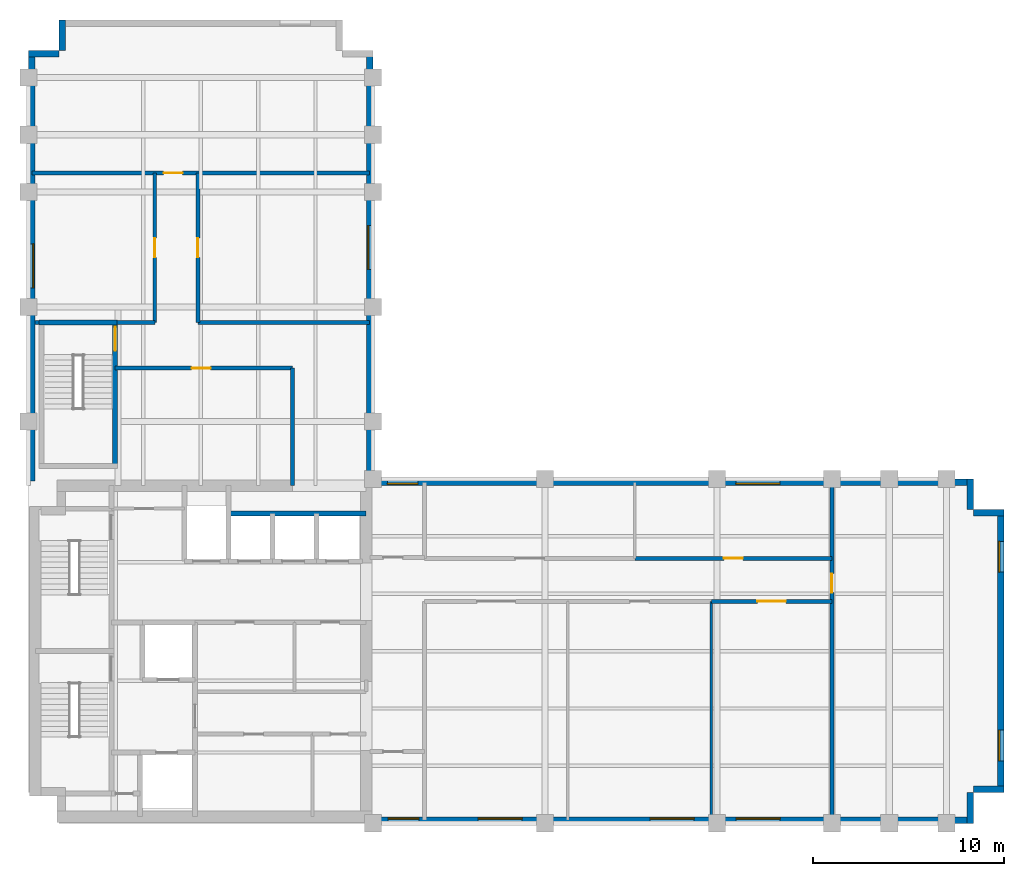
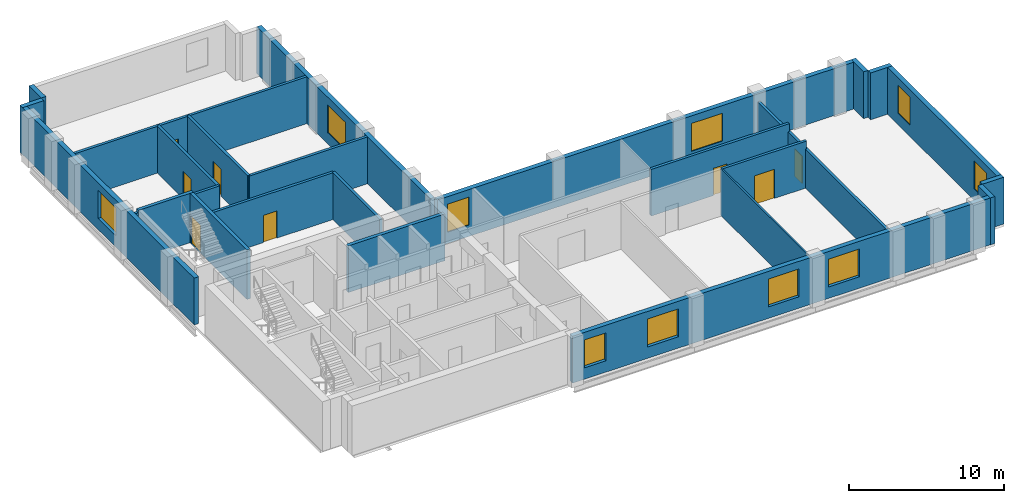
# One storey, part 4 of 6: 26 walls, 10 windows, 8 doors, 18 openings.
"""IFC4 building model written with IfcOpenShell, lengths in metres."""

import ifcopenshell
import ifcopenshell.guid

model = None  # the IFC model being written
_history = None  # IfcOwnerHistory: only IFC2X3 demands one
_inside = {}  # id of a spatial element -> (the spatial element, [elements in it])
_under = {}  # id of a project, library or spatial element -> (it, [spatial elements below it])
_declared = {}  # id of a project -> (the project, [libraries it declares])
_typed = {}  # id of a type object -> (the type object, [elements of that type])
_made_of = {}  # id of a material, layer set ... -> (it, [elements and type objects made of it])


def new_model(schema):
    """Start an empty IFC model of exactly this schema.

    Asked for "IFC4X3", IfcOpenShell would pick the latest addendum, in which some entities
    have other attributes; the version numbers below select the first issue.
    IFC2X3 requires an IfcOwnerHistory on every rooted entity: one is made here for all.
    """
    global model, _history
    if schema == "IFC4X3":
        model = ifcopenshell.file(schema_version=(4, 3, 0, 0))
    else:
        model = ifcopenshell.file(schema=schema)
    _inside.clear()
    _under.clear()
    _declared.clear()
    _typed.clear()
    _made_of.clear()
    _history = None
    if model.schema == "IFC2X3":
        org = make("IfcOrganization", Name="unknown")
        user = make(
            "IfcPersonAndOrganization",
            ThePerson=make("IfcPerson", FamilyName="unknown"),
            TheOrganization=org,
        )
        app = make(
            "IfcApplication",
            ApplicationDeveloper=org,
            Version="unknown",
            ApplicationFullName="unknown",
            ApplicationIdentifier="unknown",
        )
        _history = make(
            "IfcOwnerHistory",
            OwningUser=user,
            OwningApplication=app,
            ChangeAction="ADDED",
            CreationDate=0,
        )
    return model


def make(cls, **values):
    """One entity of the class cls with the attributes given. An attribute that is None is left unset."""
    return model.create_entity(
        cls, **{name: value for name, value in values.items() if value is not None}
    )


def rooted(cls, **values):
    """An entity with a GlobalId (a new one), such as an element, a storey or a relation."""
    return make(cls, GlobalId=ifcopenshell.guid.new(), OwnerHistory=_history, **values)


def si_unit(unit_type, name, prefix=None):
    """IfcSIUnit, for example si_unit("LENGTHUNIT", "METRE", prefix="MILLI")."""
    return make("IfcSIUnit", UnitType=unit_type, Prefix=prefix, Name=name)


def assignment(units):
    """IfcUnitAssignment: the units of a project."""
    return None if units is None else make("IfcUnitAssignment", Units=units)


def point(xyz):
    """IfcCartesianPoint."""
    return None if xyz is None else make("IfcCartesianPoint", Coordinates=xyz)


def direction(xyz):
    """IfcDirection."""
    return None if xyz is None else make("IfcDirection", DirectionRatios=xyz)


def frame(location, z_axis=None, x_axis=None):
    """IfcAxis2Placement3D, a coordinate frame: its origin and axes. An axis left out is left unset."""
    return make(
        "IfcAxis2Placement3D",
        Location=point(location),
        Axis=direction(z_axis),
        RefDirection=direction(x_axis),
    )


def frame_2d(location, x_axis=None):
    """IfcAxis2Placement2D, a coordinate frame in the plane: its origin and x axis."""
    return make(
        "IfcAxis2Placement2D", Location=point(location), RefDirection=direction(x_axis)
    )


def origin():
    """The frame at (0, 0, 0) with its axes left unset."""
    return frame((0.0, 0.0, 0.0))


def place(relative_to, where):
    """IfcLocalPlacement: puts the frame where relative to a parent placement (None: the world)."""
    return make(
        "IfcLocalPlacement", PlacementRelTo=relative_to, RelativePlacement=where
    )


def context(
    kind, dimensions, precision=None, world=None, true_north=None, identifier=None
):
    """IfcGeometricRepresentationContext, for example the 3D "Model" context."""
    return make(
        "IfcGeometricRepresentationContext",
        ContextIdentifier=identifier,
        ContextType=kind,
        CoordinateSpaceDimension=dimensions,
        Precision=precision,
        WorldCoordinateSystem=world,
        TrueNorth=true_north,
    )


def subcontext(parent, identifier, kind, view, scale=None):
    """IfcGeometricRepresentationSubContext, for example "Body" below "Model"."""
    return make(
        "IfcGeometricRepresentationSubContext",
        ContextIdentifier=identifier,
        ContextType=kind,
        ParentContext=parent,
        TargetScale=scale,
        TargetView=view,
    )


def project(units=None, contexts=None):
    """IfcProject with its units and contexts."""
    return rooted(
        "IfcProject",
        Name="project",
        RepresentationContexts=contexts,
        UnitsInContext=assignment(units),
    )


def spatial(cls, under=None, at=None, **own):
    """A site, building, storey or space (cls), placed at a placement, below another one or the project."""
    s = rooted(cls, ObjectPlacement=at, **own)
    if under is not None:
        _under.setdefault(under.id(), (under, []))[1].append(s)
    return s


def profile(cls, at=None, kind="AREA", **sizes):
    """A parametric profile (cls). Its sizes go by their IFC names, for example OverallWidth=200.0."""
    return make(cls, ProfileType=kind, Position=at, **sizes)


def rectangle(**sizes):
    """IfcRectangleProfileDef."""
    return profile("IfcRectangleProfileDef", **sizes)


def extrude(swept, where, along, depth):
    """IfcExtrudedAreaSolid: the profile swept, set in the frame where, extruded along a direction by depth."""
    return make(
        "IfcExtrudedAreaSolid",
        SweptArea=swept,
        Position=where,
        ExtrudedDirection=direction(along),
        Depth=depth,
    )


def shape(context_of_items, identifier, shape_type, items):
    """IfcShapeRepresentation: the items that make up one representation, for example the "Body"."""
    return make(
        "IfcShapeRepresentation",
        ContextOfItems=context_of_items,
        RepresentationIdentifier=identifier,
        RepresentationType=shape_type,
        Items=items,
    )


def material(Name=None, Category=None):
    """IfcMaterial."""
    return make("IfcMaterial", Name=Name, Category=Category)


def layer(
    of_material, thickness, ventilated=None, Name=None, Category=None, Priority=None
):
    """IfcMaterialLayer: one layer of a wall or slab, of a material (None: an air gap)."""
    return make(
        "IfcMaterialLayer",
        Material=of_material,
        LayerThickness=thickness,
        IsVentilated=ventilated,
        Name=Name,
        Category=Category,
        Priority=Priority,
    )


def layer_set(layers, Name=None):
    """IfcMaterialLayerSet."""
    return make("IfcMaterialLayerSet", MaterialLayers=layers, LayerSetName=Name)


def made_of(thing, what):
    """Note that an element or type object is made of a material, layer set ...; save() writes the relation."""
    if what is not None:
        _made_of.setdefault(what.id(), (what, []))[1].append(thing)
    return thing


def type_object(cls, material=None, **own):
    """A type object (cls), such as IfcWallType, which elements share."""
    return made_of(rooted(cls, **own), material)


def element(
    cls,
    number,
    at=None,
    inside=None,
    cuts=None,
    type_object=None,
    material=None,
    context=None,
    identifier="Body",
    shape_type=None,
    held_by="IfcProductDefinitionShape",
    body=None,
    shapes=None,
    **own,
):
    """One element of the class cls, such as IfcWall. Its Tag is "e" and its number.

    at: its placement. inside: the storey or other place that contains it. cuts: it is an
    opening in that element (IfcRelVoidsElement). A single representation is given by context,
    identifier, shape_type and body (its items); several are given by shapes. held_by: the class
    of the entity that holds the representations. save() writes the other relations.
    """
    e = rooted(cls, Tag="e%d" % number, ObjectPlacement=at, **own)
    if body is not None:
        shapes = [shape(context, identifier, shape_type, body)]
    if shapes is not None:
        e.Representation = make(held_by, Representations=shapes)
    if inside is not None:
        _inside.setdefault(inside.id(), (inside, []))[1].append(e)
    if cuts is not None:
        rooted(
            "IfcRelVoidsElement", RelatingBuildingElement=cuts, RelatedOpeningElement=e
        )
    if type_object is not None:
        _typed.setdefault(type_object.id(), (type_object, []))[1].append(e)
    return made_of(e, material)


def fill(opening, filler):
    """IfcRelFillsElement: the door or window that sits in an opening."""
    return rooted(
        "IfcRelFillsElement",
        RelatingOpeningElement=opening,
        RelatedBuildingElement=filler,
    )


def aggregate(whole, parts):
    """IfcRelAggregates: a whole, such as a stair, and the parts it consists of."""
    return rooted("IfcRelAggregates", RelatingObject=whole, RelatedObjects=parts)


def save(model, path):
    """Write the relations noted so far, then the file.

    IfcRelAggregates (storeys below a building ...), IfcRelContainedInSpatialStructure (elements
    in a storey), IfcRelDefinesByType, IfcRelAssociatesMaterial and IfcRelDeclares: one each for
    every whole, place, type object, material and project.
    """
    for whole, parts in _under.values():
        aggregate(whole, parts)
    for where, things in _inside.values():
        rooted(
            "IfcRelContainedInSpatialStructure",
            RelatedElements=things,
            RelatingStructure=where,
        )
    for kind, things in _typed.values():
        rooted("IfcRelDefinesByType", RelatedObjects=things, RelatingType=kind)
    for what, things in _made_of.values():
        rooted("IfcRelAssociatesMaterial", RelatedObjects=things, RelatingMaterial=what)
    for by, libraries in _declared.values():
        rooted("IfcRelDeclares", RelatingContext=by, RelatedDefinitions=libraries)
    model.write(path)


model = new_model("IFC4")

# Units and contexts
model_context = context("Model", 3, precision=1e-05, world=origin(), true_north=direction((0.0, 1.0)))
body_context = subcontext(model_context, "Body", "Model", "MODEL_VIEW")
ifc_project = project(units=[si_unit("LENGTHUNIT", "METRE"), si_unit("AREAUNIT", "SQUARE_METRE"), si_unit("VOLUMEUNIT", "CUBIC_METRE"), si_unit("PLANEANGLEUNIT", "RADIAN"), si_unit("MASSUNIT", "GRAM", prefix="KILO")], contexts=[model_context])

# Site, building, storey
site_placement = place(None, origin())
site = spatial("IfcSite", under=ifc_project, at=site_placement, CompositionType="ELEMENT")
building_placement = place(site_placement, origin())
building = spatial("IfcBuilding", under=site, at=building_placement, Name="Mawjdan Bourse Tower", CompositionType="ELEMENT")
storey_placement = place(building_placement, frame((0.0, 0.0, 180.0)))
storey = spatial("IfcBuildingStorey", under=building, at=storey_placement, Name="L43", CompositionType="ELEMENT", Elevation=180.0)

# Wall, openings, windows
ifc_material_1 = material(Name="Brick Masonry Buff", Category="masonry")
ifc_layer_1 = layer(ifc_material_1, 0.340087890625)
ifc_layer_set_1 = layer_set([ifc_layer_1], Name="Brick Masonry Buff")
wall_type_1 = type_object("IfcWallType", Name="WL-BRK-SPN-340", PredefinedType="STANDARD", material=ifc_layer_set_1)
wall_1_placement = place(storey_placement, frame((23.89990234375, 3.169921875, 0.0), z_axis=(0.0, 0.0, 1.0), x_axis=(1.0, 0.0, 0.0)))
wall_1 = element("IfcWall", 1, at=wall_1_placement, inside=storey, type_object=wall_type_1, Name="L43 Exterior Brick Wall 1", PredefinedType="STANDARD", context=body_context, shape_type="SweptSolid", body=[
    extrude(rectangle(XDim=31.5, YDim=0.340087890625, at=frame_2d((15.75, 0.0))), origin(), (0.0, 0.0, 1.0), 3.699951171875),
])
opening_1_placement = place(wall_1_placement, frame((5.60009765625, 0.0, 0.89990234375)))
opening_1 = element("IfcOpeningElement", 2, at=opening_1_placement, cuts=wall_1, Name="Opening W-L43-01", PredefinedType="OPENING", context=body_context, shape_type="SweptSolid", body=[
    extrude(rectangle(XDim=2.300048828125, YDim=2.199951171875, at=frame_2d((1.14990234375, 1.10009765625))), frame((0.0, 0.18017578125, 0.0), z_axis=(0.0, -1.0, 0.0), x_axis=(1.0, 0.0, 0.0)), (0.0, 0.0, 1.0), 0.360107421875),
])
opening_2_placement = place(wall_1_placement, frame((14.60009765625, 0.0, 0.89990234375)))
opening_2 = element("IfcOpeningElement", 3, at=opening_2_placement, cuts=wall_1, Name="Opening W-L43-02", PredefinedType="OPENING", context=body_context, shape_type="SweptSolid", body=[
    extrude(rectangle(XDim=2.300048828125, YDim=2.199951171875, at=frame_2d((1.14990234375, 1.10009765625))), frame((0.0, 0.18017578125, 0.0), z_axis=(0.0, -1.0, 0.0), x_axis=(1.0, 0.0, 0.0)), (0.0, 0.0, 1.0), 0.360107421875),
])
opening_3_placement = place(wall_1_placement, frame((19.10009765625, 0.0, 0.89990234375)))
opening_3 = element("IfcOpeningElement", 4, at=opening_3_placement, cuts=wall_1, Name="Opening W-L43-03", PredefinedType="OPENING", context=body_context, shape_type="SweptSolid", body=[
    extrude(rectangle(XDim=2.300048828125, YDim=2.199951171875, at=frame_2d((1.14990234375, 1.10009765625))), frame((0.0, 0.18017578125, 0.0), z_axis=(0.0, -1.0, 0.0), x_axis=(1.0, 0.0, 0.0)), (0.0, 0.0, 1.0), 0.360107421875),
])
opening_4_placement = place(wall_1_placement, frame((0.89990234375, 0.0, 0.89990234375)))
opening_4 = element("IfcOpeningElement", 5, at=opening_4_placement, cuts=wall_1, Name="Opening W-L43-08", PredefinedType="OPENING", context=body_context, shape_type="SweptSolid", body=[
    extrude(rectangle(XDim=1.60009765625, YDim=2.199951171875, at=frame_2d((0.800048828125, 1.10009765625))), frame((0.0, 0.18017578125, 0.0), z_axis=(0.0, -1.0, 0.0), x_axis=(1.0, 0.0, 0.0)), (0.0, 0.0, 1.0), 0.360107421875),
])
ifc_material_2 = material(Name="Solar-Control Clear Double Glazing", Category="glass")
window_type_1 = type_object("IfcWindowType", Name="WN-Z3-1600", PartitioningType="SINGLE_PANEL", PredefinedType="WINDOW", material=ifc_material_2)
window_1_placement = place(opening_4_placement, origin())
window_1 = element("IfcWindow", 6, at=window_1_placement, inside=storey, type_object=window_type_1, Name="L43 Deep-Set Masonry Window W-L43-08", OverallHeight=2.199951171875, OverallWidth=1.60009765625, PartitioningType="SINGLE_PANEL", PredefinedType="WINDOW", context=body_context, shape_type="SweptSolid", body=[
    extrude(rectangle(XDim=1.60009765625, YDim=2.199951171875, at=frame_2d((0.800048828125, 1.10009765625))), frame((0.0, 0.110107421875, 0.0), z_axis=(0.0, -1.0, 0.0), x_axis=(1.0, 0.0, 0.0)), (0.0, 0.0, 1.0), 0.06005859375),
])
fill(opening_4, window_1)
window_type_2 = type_object("IfcWindowType", Name="WN-Z3-2300", PartitioningType="SINGLE_PANEL", PredefinedType="WINDOW", material=ifc_material_2)
window_2_placement = place(opening_1_placement, origin())
window_2 = element("IfcWindow", 7, at=window_2_placement, inside=storey, type_object=window_type_2, Name="L43 Deep-Set Masonry Window W-L43-01", OverallHeight=2.199951171875, OverallWidth=2.300048828125, PartitioningType="SINGLE_PANEL", PredefinedType="WINDOW", context=body_context, shape_type="SweptSolid", body=[
    extrude(rectangle(XDim=2.300048828125, YDim=2.199951171875, at=frame_2d((1.14990234375, 1.10009765625))), frame((0.0, 0.110107421875, 0.0), z_axis=(0.0, -1.0, 0.0), x_axis=(1.0, 0.0, 0.0)), (0.0, 0.0, 1.0), 0.06005859375),
])
fill(opening_1, window_2)
window_3_placement = place(opening_2_placement, origin())
window_3 = element("IfcWindow", 8, at=window_3_placement, inside=storey, type_object=window_type_2, Name="L43 Deep-Set Masonry Window W-L43-02", OverallHeight=2.199951171875, OverallWidth=2.300048828125, PartitioningType="SINGLE_PANEL", PredefinedType="WINDOW", context=body_context, shape_type="SweptSolid", body=[
    extrude(rectangle(XDim=2.300048828125, YDim=2.199951171875, at=frame_2d((1.14990234375, 1.10009765625))), frame((0.0, 0.110107421875, 0.0), z_axis=(0.0, -1.0, 0.0), x_axis=(1.0, 0.0, 0.0)), (0.0, 0.0, 1.0), 0.06005859375),
])
fill(opening_2, window_3)
window_4_placement = place(opening_3_placement, origin())
window_4 = element("IfcWindow", 9, at=window_4_placement, inside=storey, type_object=window_type_2, Name="L43 Deep-Set Masonry Window W-L43-03", OverallHeight=2.199951171875, OverallWidth=2.300048828125, PartitioningType="SINGLE_PANEL", PredefinedType="WINDOW", context=body_context, shape_type="SweptSolid", body=[
    extrude(rectangle(XDim=2.300048828125, YDim=2.199951171875, at=frame_2d((1.14990234375, 1.10009765625))), frame((0.0, 0.110107421875, 0.0), z_axis=(0.0, -1.0, 0.0), x_axis=(1.0, 0.0, 0.0)), (0.0, 0.0, 1.0), 0.06005859375),
])
fill(opening_3, window_4)

# Walls
for number, where, z_axis, x_axis, name in (
    (10, (55.22998046875, 3.0, 0.0), (0.0, 0.0, 1.0), (0.0, 1.0, 0.0), "L43 Exterior Brick Wall 2"),
    (11, (55.39990234375, 4.77001953125, 0.0), (0.0, 0.0, 1.0), (1.0, 0.0, 0.0), "L43 Exterior Brick Wall 3"),
):
    element("IfcWall", number, at=place(storey_placement, frame(where, z_axis=z_axis, x_axis=x_axis)), inside=storey, type_object=wall_type_1, Name=name, PredefinedType="STANDARD", context=body_context, shape_type="SweptSolid", body=[
        extrude(rectangle(XDim=1.60009765625, YDim=0.340087890625, at=frame_2d((0.800048828125, 0.0))), origin(), (0.0, 0.0, 1.0), 3.699951171875),
    ])

# Wall, openings, windows
wall_2_placement = place(storey_placement, frame((56.830078125, 4.60009765625, 0.0), z_axis=(0.0, 0.0, 1.0), x_axis=(0.0, 1.0, 0.0)))
wall_2 = element("IfcWall", 12, at=wall_2_placement, inside=storey, type_object=wall_type_1, Name="L43 Exterior Brick Wall 4", PredefinedType="STANDARD", context=body_context, shape_type="SweptSolid", body=[
    extrude(rectangle(XDim=14.7998046875, YDim=0.340087890625, at=frame_2d((7.39990234375, 0.0))), origin(), (0.0, 0.0, 1.0), 3.699951171875),
])
opening_5_placement = place(wall_2_placement, frame((1.666748046875, 0.0, 0.89990234375)))
opening_5 = element("IfcOpeningElement", 13, at=opening_5_placement, cuts=wall_2, Name="Opening W-L43-04", PredefinedType="OPENING", context=body_context, shape_type="SweptSolid", body=[
    extrude(rectangle(XDim=1.60009765625, YDim=2.199951171875, at=frame_2d((0.800048828125, 1.10009765625))), frame((0.0, 0.18017578125, 0.0), z_axis=(0.0, -1.0, 0.0), x_axis=(1.0, 0.0, 0.0)), (0.0, 0.0, 1.0), 0.360107421875),
])
opening_6_placement = place(wall_2_placement, frame((11.533203125, 0.0, 0.89990234375)))
opening_6 = element("IfcOpeningElement", 14, at=opening_6_placement, cuts=wall_2, Name="Opening W-L43-05", PredefinedType="OPENING", context=body_context, shape_type="SweptSolid", body=[
    extrude(rectangle(XDim=1.60009765625, YDim=2.199951171875, at=frame_2d((0.800048828125, 1.10009765625))), frame((0.0, 0.18017578125, 0.0), z_axis=(0.0, -1.0, 0.0), x_axis=(1.0, 0.0, 0.0)), (0.0, 0.0, 1.0), 0.360107421875),
])
window_5_placement = place(opening_5_placement, origin())
window_5 = element("IfcWindow", 15, at=window_5_placement, inside=storey, type_object=window_type_1, Name="L43 Deep-Set Masonry Window W-L43-04", OverallHeight=2.199951171875, OverallWidth=1.60009765625, PartitioningType="SINGLE_PANEL", PredefinedType="WINDOW", context=body_context, shape_type="SweptSolid", body=[
    extrude(rectangle(XDim=1.60009765625, YDim=2.199951171875, at=frame_2d((0.800048828125, 1.10009765625))), frame((0.0, 0.110107421875, 0.0), z_axis=(0.0, -1.0, 0.0), x_axis=(1.0, 0.0, 0.0)), (0.0, 0.0, 1.0), 0.06005859375),
])
fill(opening_5, window_5)
window_6_placement = place(opening_6_placement, origin())
window_6 = element("IfcWindow", 16, at=window_6_placement, inside=storey, type_object=window_type_1, Name="L43 Deep-Set Masonry Window W-L43-05", OverallHeight=2.199951171875, OverallWidth=1.60009765625, PartitioningType="SINGLE_PANEL", PredefinedType="WINDOW", context=body_context, shape_type="SweptSolid", body=[
    extrude(rectangle(XDim=1.60009765625, YDim=2.199951171875, at=frame_2d((0.800048828125, 1.10009765625))), frame((0.0, 0.110107421875, 0.0), z_axis=(0.0, -1.0, 0.0), x_axis=(1.0, 0.0, 0.0)), (0.0, 0.0, 1.0), 0.06005859375),
])
fill(opening_6, window_6)

# Walls
for number, where, z_axis, x_axis, name in (
    (17, (57.0, 19.22998046875, 0.0), (0.0, 0.0, 1.0), (-1.0, 0.0, 0.0), "L43 Exterior Brick Wall 5"),
    (18, (55.22998046875, 19.39990234375, 0.0), (0.0, 0.0, 1.0), (0.0, 1.0, 0.0), "L43 Exterior Brick Wall 6"),
):
    element("IfcWall", number, at=place(storey_placement, frame(where, z_axis=z_axis, x_axis=x_axis)), inside=storey, type_object=wall_type_1, Name=name, PredefinedType="STANDARD", context=body_context, shape_type="SweptSolid", body=[
        extrude(rectangle(XDim=1.60009765625, YDim=0.340087890625, at=frame_2d((0.800048828125, 0.0))), origin(), (0.0, 0.0, 1.0), 3.699951171875),
    ])

# Wall, openings, windows
wall_3_placement = place(storey_placement, frame((55.39990234375, 20.830078125, 0.0), z_axis=(0.0, 0.0, 1.0), x_axis=(-1.0, 0.0, 0.0)))
wall_3 = element("IfcWall", 19, at=wall_3_placement, inside=storey, type_object=wall_type_1, Name="L43 Exterior Brick Wall 7", PredefinedType="STANDARD", context=body_context, shape_type="SweptSolid", body=[
    extrude(rectangle(XDim=31.39990234375, YDim=0.340087890625, at=frame_2d((15.699951171875, 0.0))), origin(), (0.0, 0.0, 1.0), 3.699951171875),
])
opening_7_placement = place(wall_3_placement, frame((29.0458984375, 0.0, 0.89990234375)))
opening_7 = element("IfcOpeningElement", 20, at=opening_7_placement, cuts=wall_3, Name="Opening W-L43-09", PredefinedType="OPENING", context=body_context, shape_type="SweptSolid", body=[
    extrude(rectangle(XDim=1.60009765625, YDim=2.199951171875, at=frame_2d((0.800048828125, 1.10009765625))), frame((0.0, 0.18017578125, 0.0), z_axis=(0.0, -1.0, 0.0), x_axis=(1.0, 0.0, 0.0)), (0.0, 0.0, 1.0), 0.360107421875),
])
opening_8_placement = place(wall_3_placement, frame((10.124755859375, 0.0, 0.89990234375)))
opening_8 = element("IfcOpeningElement", 21, at=opening_8_placement, cuts=wall_3, Name="Opening W-L43-10", PredefinedType="OPENING", context=body_context, shape_type="SweptSolid", body=[
    extrude(rectangle(XDim=2.300048828125, YDim=2.199951171875, at=frame_2d((1.14990234375, 1.10009765625))), frame((0.0, 0.18017578125, 0.0), z_axis=(0.0, -1.0, 0.0), x_axis=(1.0, 0.0, 0.0)), (0.0, 0.0, 1.0), 0.360107421875),
])
window_7_placement = place(opening_7_placement, origin())
window_7 = element("IfcWindow", 22, at=window_7_placement, inside=storey, type_object=window_type_1, Name="L43 Deep-Set Masonry Window W-L43-09", OverallHeight=2.199951171875, OverallWidth=1.60009765625, PartitioningType="SINGLE_PANEL", PredefinedType="WINDOW", context=body_context, shape_type="SweptSolid", body=[
    extrude(rectangle(XDim=1.60009765625, YDim=2.199951171875, at=frame_2d((0.800048828125, 1.10009765625))), frame((0.0, 0.110107421875, 0.0), z_axis=(0.0, -1.0, 0.0), x_axis=(1.0, 0.0, 0.0)), (0.0, 0.0, 1.0), 0.06005859375),
])
fill(opening_7, window_7)
window_8_placement = place(opening_8_placement, origin())
window_8 = element("IfcWindow", 23, at=window_8_placement, inside=storey, type_object=window_type_2, Name="L43 Deep-Set Masonry Window W-L43-10", OverallHeight=2.199951171875, OverallWidth=2.300048828125, PartitioningType="SINGLE_PANEL", PredefinedType="WINDOW", context=body_context, shape_type="SweptSolid", body=[
    extrude(rectangle(XDim=2.300048828125, YDim=2.199951171875, at=frame_2d((1.14990234375, 1.10009765625))), frame((0.0, 0.110107421875, 0.0), z_axis=(0.0, -1.0, 0.0), x_axis=(1.0, 0.0, 0.0)), (0.0, 0.0, 1.0), 0.06005859375),
])
fill(opening_8, window_8)

# Wall, opening, window
wall_4_placement = place(storey_placement, frame((23.830078125, 21.0, 0.0), z_axis=(0.0, 0.0, 1.0), x_axis=(0.0, 1.0, 0.0)))
wall_4 = element("IfcWall", 24, at=wall_4_placement, inside=storey, type_object=wall_type_1, Name="L43 Exterior Brick Wall 8", PredefinedType="STANDARD", context=body_context, shape_type="SweptSolid", body=[
    extrude(rectangle(XDim=22.39990234375, YDim=0.340087890625, at=frame_2d((11.199951171875, 0.0))), origin(), (0.0, 0.0, 1.0), 3.699951171875),
])
opening_9_placement = place(wall_4_placement, frame((10.954833984375, 0.0, 0.89990234375)))
opening_9 = element("IfcOpeningElement", 25, at=opening_9_placement, cuts=wall_4, Name="Opening W-L43-11", PredefinedType="OPENING", context=body_context, shape_type="SweptSolid", body=[
    extrude(rectangle(XDim=2.300048828125, YDim=2.199951171875, at=frame_2d((1.14990234375, 1.10009765625))), frame((0.0, 0.18017578125, 0.0), z_axis=(0.0, -1.0, 0.0), x_axis=(1.0, 0.0, 0.0)), (0.0, 0.0, 1.0), 0.360107421875),
])
window_9_placement = place(opening_9_placement, origin())
window_9 = element("IfcWindow", 26, at=window_9_placement, inside=storey, type_object=window_type_2, Name="L43 Deep-Set Masonry Window W-L43-11", OverallHeight=2.199951171875, OverallWidth=2.300048828125, PartitioningType="SINGLE_PANEL", PredefinedType="WINDOW", context=body_context, shape_type="SweptSolid", body=[
    extrude(rectangle(XDim=2.300048828125, YDim=2.199951171875, at=frame_2d((1.14990234375, 1.10009765625))), frame((0.0, 0.110107421875, 0.0), z_axis=(0.0, -1.0, 0.0), x_axis=(1.0, 0.0, 0.0)), (0.0, 0.0, 1.0), 0.06005859375),
])
fill(opening_9, window_9)

# Walls
for number, where, z_axis, x_axis, name in (
    (27, (7.77001953125, 45.0, 0.0), (0.0, 0.0, 1.0), (0.0, -1.0, 0.0), "L43 Exterior Brick Wall 12"),
    (28, (7.60009765625, 43.22998046875, 0.0), (0.0, 0.0, 1.0), (-1.0, 0.0, 0.0), "L43 Exterior Brick Wall 13"),
):
    element("IfcWall", number, at=place(storey_placement, frame(where, z_axis=z_axis, x_axis=x_axis)), inside=storey, type_object=wall_type_1, Name=name, PredefinedType="STANDARD", context=body_context, shape_type="SweptSolid", body=[
        extrude(rectangle(XDim=1.60009765625, YDim=0.340087890625, at=frame_2d((0.800048828125, 0.0))), origin(), (0.0, 0.0, 1.0), 3.699951171875),
    ])

# Wall, opening, window
wall_5_placement = place(storey_placement, frame((6.169921875, 43.39990234375, 0.0), z_axis=(0.0, 0.0, 1.0), x_axis=(0.0, -1.0, 0.0)))
wall_5 = element("IfcWall", 29, at=wall_5_placement, inside=storey, type_object=wall_type_1, Name="L43 Exterior Brick Wall 14", PredefinedType="STANDARD", context=body_context, shape_type="SweptSolid", body=[
    extrude(rectangle(XDim=22.5, YDim=0.340087890625, at=frame_2d((11.25, 0.0))), origin(), (0.0, 0.0, 1.0), 3.699951171875),
])
opening_10_placement = place(wall_5_placement, frame((10.10009765625, 0.0, 0.89990234375)))
opening_10 = element("IfcOpeningElement", 30, at=opening_10_placement, cuts=wall_5, Name="Opening W-L43-07", PredefinedType="OPENING", context=body_context, shape_type="SweptSolid", body=[
    extrude(rectangle(XDim=2.300048828125, YDim=2.199951171875, at=frame_2d((1.14990234375, 1.10009765625))), frame((0.0, 0.18017578125, 0.0), z_axis=(0.0, -1.0, 0.0), x_axis=(1.0, 0.0, 0.0)), (0.0, 0.0, 1.0), 0.360107421875),
])
window_10_placement = place(opening_10_placement, origin())
window_10 = element("IfcWindow", 31, at=window_10_placement, inside=storey, type_object=window_type_2, Name="L43 Deep-Set Masonry Window W-L43-07", OverallHeight=2.199951171875, OverallWidth=2.300048828125, PartitioningType="SINGLE_PANEL", PredefinedType="WINDOW", context=body_context, shape_type="SweptSolid", body=[
    extrude(rectangle(XDim=2.300048828125, YDim=2.199951171875, at=frame_2d((1.14990234375, 1.10009765625))), frame((0.0, 0.110107421875, 0.0), z_axis=(0.0, -1.0, 0.0), x_axis=(1.0, 0.0, 0.0)), (0.0, 0.0, 1.0), 0.06005859375),
])
fill(opening_10, window_10)

# Wall, opening, door
ifc_material_3 = material(Name="Gypsum Fireboard Assembly")
ifc_layer_2 = layer(ifc_material_3, 0.199951171875)
ifc_layer_set_2 = layer_set([ifc_layer_2], Name="Gypsum Fireboard Assembly")
wall_type_2 = type_object("IfcWallType", Name="WL-CMP-200", PredefinedType="PARTITIONING", material=ifc_layer_set_2)
wall_6_placement = place(storey_placement, frame((41.699951171875, 14.60009765625, 0.0), z_axis=(0.0, 0.0, 1.0), x_axis=(1.0, 0.0, 0.0)))
wall_6 = element("IfcWall", 32, at=wall_6_placement, inside=storey, type_object=wall_type_2, Name="L43 Conference Room Corridor Wall", PredefinedType="PARTITIONING", context=body_context, shape_type="SweptSolid", body=[
    extrude(rectangle(XDim=6.300048828125, YDim=0.199951171875, at=frame_2d((3.14990234375, 0.0))), origin(), (0.0, 0.0, 1.0), 3.68994140625),
])
opening_11_placement = place(wall_6_placement, frame((2.39990234375, 0.0, 0.0)))
opening_11 = element("IfcOpeningElement", 33, at=opening_11_placement, cuts=wall_6, Name="Opening D-L43-23", PredefinedType="OPENING", context=body_context, shape_type="SweptSolid", body=[
    extrude(rectangle(XDim=1.5, YDim=2.300048828125, at=frame_2d((0.75, 1.14990234375))), frame((0.0, 0.10986328125, 0.0), z_axis=(0.0, -1.0, 0.0), x_axis=(1.0, 0.0, 0.0)), (0.0, 0.0, 1.0), 0.219970703125),
])
ifc_material_4 = material(Name="Acoustic Glazed Timber", Category="wood")
door_type_1 = type_object("IfcDoorType", Name="DR-CNF-1500", OperationType="DOUBLE_DOOR_SINGLE_SWING", PredefinedType="DOOR", material=ifc_material_4)
door_1_placement = place(opening_11_placement, origin())
door_1 = element("IfcDoor", 34, at=door_1_placement, inside=storey, type_object=door_type_1, Name="L43 Conference Room Door D-L43-23", OperationType="DOUBLE_DOOR_SINGLE_SWING", OverallHeight=2.300048828125, OverallWidth=1.5, PredefinedType="DOOR", context=body_context, shape_type="SweptSolid", body=[
    extrude(rectangle(XDim=1.5, YDim=2.300048828125, at=frame_2d((0.75, 1.14990234375))), frame((0.0, 0.02490234375, 0.0), z_axis=(0.0, -1.0, 0.0), x_axis=(1.0, 0.0, 0.0)), (0.0, 0.0, 1.0), 0.050048828125),
])
fill(opening_11, door_1)

wall_7_placement = place(storey_placement, frame((37.699951171875, 16.85009765625, 0.0), z_axis=(0.0, 0.0, 1.0), x_axis=(1.0, 0.0, 0.0)))
wall_7 = element("IfcWall", 35, at=wall_7_placement, inside=storey, type_object=wall_type_2, Name="L43 Legal Counsel Library Corridor Wall", PredefinedType="PARTITIONING", context=body_context, shape_type="SweptSolid", body=[
    extrude(rectangle(XDim=10.300048828125, YDim=0.199951171875, at=frame_2d((5.14990234375, 0.0))), origin(), (0.0, 0.0, 1.0), 3.68994140625),
])
opening_12_placement = place(wall_7_placement, frame((4.64990234375, 0.0, 0.0)))
opening_12 = element("IfcOpeningElement", 36, at=opening_12_placement, cuts=wall_7, Name="Opening D-L43-25", PredefinedType="OPENING", context=body_context, shape_type="SweptSolid", body=[
    extrude(rectangle(XDim=1.0, YDim=2.14990234375, at=frame_2d((0.5, 1.074951171875))), frame((0.0, 0.10986328125, 0.0), z_axis=(0.0, -1.0, 0.0), x_axis=(1.0, 0.0, 0.0)), (0.0, 0.0, 1.0), 0.219970703125),
])
ifc_material_5 = material(Name="Hardwood Acoustic Leaf", Category="wood")
door_type_2 = type_object("IfcDoorType", Name="DR-OFC-1000", OperationType="NOTDEFINED", PredefinedType="DOOR", material=ifc_material_5)
door_2_placement = place(opening_12_placement, origin())
door_2 = element("IfcDoor", 37, at=door_2_placement, inside=storey, type_object=door_type_2, Name="L43 Legal Counsel Library Door D-L43-25", OperationType="SINGLE_SWING_LEFT", OverallHeight=2.14990234375, OverallWidth=1.0, PredefinedType="DOOR", context=body_context, shape_type="SweptSolid", body=[
    extrude(rectangle(XDim=1.0, YDim=2.14990234375, at=frame_2d((0.5, 1.074951171875))), frame((0.0, 0.02490234375, 0.0), z_axis=(0.0, -1.0, 0.0), x_axis=(1.0, 0.0, 0.0)), (0.0, 0.0, 1.0), 0.050048828125),
])
fill(opening_12, door_2)

wall_8_placement = place(storey_placement, frame((48.0, 3.179931640625, 0.0), z_axis=(0.0, 0.0, 1.0), x_axis=(0.0, 1.0, 0.0)))
wall_8 = element("IfcWall", 38, at=wall_8_placement, inside=storey, type_object=wall_type_2, Name="L43 East Tip Full Cross Wall", PredefinedType="PARTITIONING", context=body_context, shape_type="SweptSolid", body=[
    extrude(rectangle(XDim=17.64013671875, YDim=0.199951171875, at=frame_2d((8.820068359375, 0.0))), origin(), (0.0, 0.0, 1.0), 3.072998046875),
])
opening_13_placement = place(wall_8_placement, frame((11.875, 0.0, 0.0)))
opening_13 = element("IfcOpeningElement", 39, at=opening_13_placement, cuts=wall_8, Name="Opening D-L43-26", PredefinedType="OPENING", context=body_context, shape_type="SweptSolid", body=[
    extrude(rectangle(XDim=1.0, YDim=2.14990234375, at=frame_2d((0.5, 1.074951171875))), frame((0.0, 0.10986328125, 0.0), z_axis=(0.0, -1.0, 0.0), x_axis=(1.0, 0.0, 0.0)), (0.0, 0.0, 1.0), 0.219970703125),
])
door_3_placement = place(opening_13_placement, origin())
door_3 = element("IfcDoor", 40, at=door_3_placement, inside=storey, type_object=door_type_2, Name="L43 East Tip Hall Door D-L43-26", OperationType="SINGLE_SWING_RIGHT", OverallHeight=2.14990234375, OverallWidth=1.0, PredefinedType="DOOR", context=body_context, shape_type="SweptSolid", body=[
    extrude(rectangle(XDim=1.0, YDim=2.14990234375, at=frame_2d((0.5, 1.074951171875))), frame((0.0, 0.02490234375, 0.0), z_axis=(0.0, -1.0, 0.0), x_axis=(1.0, 0.0, 0.0)), (0.0, 0.0, 1.0), 0.050048828125),
])
fill(opening_13, door_3)

wall_9_placement = place(storey_placement, frame((10.52001953125, 26.800048828125, 0.0), z_axis=(0.0, 0.0, 1.0), x_axis=(1.0, 0.0, 0.0)))
wall_9 = element("IfcWall", 41, at=wall_9_placement, inside=storey, type_object=wall_type_2, Name="L43 North Throat North Wall", PredefinedType="PARTITIONING", context=body_context, shape_type="SweptSolid", body=[
    extrude(rectangle(XDim=9.280029296875, YDim=0.199951171875, at=frame_2d((4.64013671875, 0.0))), origin(), (0.0, 0.0, 1.0), 3.68994140625),
])
opening_14_placement = place(wall_9_placement, frame((4.0, 0.0, 0.0)))
opening_14 = element("IfcOpeningElement", 42, at=opening_14_placement, cuts=wall_9, Name="Opening D-L43-27", PredefinedType="OPENING", context=body_context, shape_type="SweptSolid", body=[
    extrude(rectangle(XDim=1.0, YDim=2.14990234375, at=frame_2d((0.5, 1.074951171875))), frame((0.0, 0.10986328125, 0.0), z_axis=(0.0, -1.0, 0.0), x_axis=(1.0, 0.0, 0.0)), (0.0, 0.0, 1.0), 0.219970703125),
])
door_4_placement = place(opening_14_placement, origin())
door_4 = element("IfcDoor", 43, at=door_4_placement, inside=storey, type_object=door_type_2, Name="L43 North Throat Suite Door D-L43-27", OperationType="SINGLE_SWING_LEFT", OverallHeight=2.14990234375, OverallWidth=1.0, PredefinedType="DOOR", context=body_context, shape_type="SweptSolid", body=[
    extrude(rectangle(XDim=1.0, YDim=2.14990234375, at=frame_2d((0.5, 1.074951171875))), frame((0.0, 0.02490234375, 0.0), z_axis=(0.0, -1.0, 0.0), x_axis=(1.0, 0.0, 0.0)), (0.0, 0.0, 1.0), 0.050048828125),
])
fill(opening_14, door_4)

# Walls
wall_10_placement = place(storey_placement, frame((19.800048828125, 20.64990234375, 0.0), z_axis=(0.0, 0.0, 1.0), x_axis=(0.0, 1.0, 0.0)))
element("IfcWall", 44, at=wall_10_placement, inside=storey, type_object=wall_type_2, Name="L43 North Throat East Wall", PredefinedType="PARTITIONING", context=body_context, shape_type="SweptSolid", body=[
    extrude(rectangle(XDim=6.150146484375, YDim=0.199951171875, at=frame_2d((3.0751953125, 0.0))), origin(), (0.0, 0.0, 1.0), 3.68994140625),
])
wall_11_placement = place(storey_placement, frame((6.340087890625, 29.179931640625, 0.0), z_axis=(0.0, 0.0, 1.0), x_axis=(1.0, 0.0, 0.0)))
element("IfcWall", 45, at=wall_11_placement, inside=storey, type_object=wall_type_2, Name="L43 North West Band ST3 West Return", PredefinedType="PARTITIONING", context=body_context, shape_type="SweptSolid", body=[
    extrude(rectangle(XDim=0.21484375, YDim=0.199951171875, at=frame_2d((0.107421875, 0.0))), origin(), (0.0, 0.0, 1.0), 3.68994140625),
])
wall_12_placement = place(storey_placement, frame((10.6298828125, 29.179931640625, 0.0), z_axis=(0.0, 0.0, 1.0), x_axis=(1.0, 0.0, 0.0)))
element("IfcWall", 46, at=wall_12_placement, inside=storey, type_object=wall_type_2, Name="L43 North West Band South Wall", PredefinedType="PARTITIONING", context=body_context, shape_type="SweptSolid", body=[
    extrude(rectangle(XDim=1.97021484375, YDim=0.199951171875, at=frame_2d((0.985107421875, 0.0))), origin(), (0.0, 0.0, 1.0), 3.68994140625),
])
wall_13_placement = place(storey_placement, frame((14.85009765625, 29.179931640625, 0.0), z_axis=(0.0, 0.0, 1.0), x_axis=(1.0, 0.0, 0.0)))
element("IfcWall", 47, at=wall_13_placement, inside=storey, type_object=wall_type_2, Name="L43 North East Band South Wall", PredefinedType="PARTITIONING", context=body_context, shape_type="SweptSolid", body=[
    extrude(rectangle(XDim=8.969970703125, YDim=0.199951171875, at=frame_2d((4.48486328125, 0.0))), origin(), (0.0, 0.0, 1.0), 3.68994140625),
])

# Wall, opening, door
wall_14_placement = place(storey_placement, frame((12.60009765625, 29.179931640625, 0.0), z_axis=(0.0, 0.0, 1.0), x_axis=(0.0, 1.0, 0.0)))
wall_14 = element("IfcWall", 48, at=wall_14_placement, inside=storey, type_object=wall_type_2, Name="L43 Executive Office Corridor Wall", PredefinedType="PARTITIONING", context=body_context, shape_type="SweptSolid", body=[
    extrude(rectangle(XDim=7.820068359375, YDim=0.199951171875, at=frame_2d((3.91015625, 0.0))), origin(), (0.0, 0.0, 1.0), 3.68994140625),
])
opening_15_placement = place(wall_14_placement, frame((3.409912109375, 0.0, 0.0)))
opening_15 = element("IfcOpeningElement", 49, at=opening_15_placement, cuts=wall_14, Name="Opening D-L43-28", PredefinedType="OPENING", context=body_context, shape_type="SweptSolid", body=[
    extrude(rectangle(XDim=1.0, YDim=2.14990234375, at=frame_2d((0.5, 1.074951171875))), frame((0.0, 0.10986328125, 0.0), z_axis=(0.0, -1.0, 0.0), x_axis=(1.0, 0.0, 0.0)), (0.0, 0.0, 1.0), 0.219970703125),
])
door_5_placement = place(opening_15_placement, origin())
door_5 = element("IfcDoor", 50, at=door_5_placement, inside=storey, type_object=door_type_2, Name="L43 Executive Office Door D-L43-28", OperationType="SINGLE_SWING_RIGHT", OverallHeight=2.14990234375, OverallWidth=1.0, PredefinedType="DOOR", context=body_context, shape_type="SweptSolid", body=[
    extrude(rectangle(XDim=1.0, YDim=2.14990234375, at=frame_2d((0.5, 1.074951171875))), frame((0.0, 0.02490234375, 0.0), z_axis=(0.0, -1.0, 0.0), x_axis=(1.0, 0.0, 0.0)), (0.0, 0.0, 1.0), 0.050048828125),
])
fill(opening_15, door_5)

wall_15_placement = place(storey_placement, frame((14.85009765625, 29.179931640625, 0.0), z_axis=(0.0, 0.0, 1.0), x_axis=(0.0, 1.0, 0.0)))
wall_15 = element("IfcWall", 51, at=wall_15_placement, inside=storey, type_object=wall_type_2, Name="L43 Legal Counsel Library Corridor Wall", PredefinedType="PARTITIONING", context=body_context, shape_type="SweptSolid", body=[
    extrude(rectangle(XDim=7.820068359375, YDim=0.199951171875, at=frame_2d((3.91015625, 0.0))), origin(), (0.0, 0.0, 1.0), 3.68994140625),
])
opening_16_placement = place(wall_15_placement, frame((3.409912109375, 0.0, 0.0)))
opening_16 = element("IfcOpeningElement", 52, at=opening_16_placement, cuts=wall_15, Name="Opening D-L43-29", PredefinedType="OPENING", context=body_context, shape_type="SweptSolid", body=[
    extrude(rectangle(XDim=1.0, YDim=2.14990234375, at=frame_2d((0.5, 1.074951171875))), frame((0.0, 0.10986328125, 0.0), z_axis=(0.0, -1.0, 0.0), x_axis=(1.0, 0.0, 0.0)), (0.0, 0.0, 1.0), 0.219970703125),
])
door_6_placement = place(opening_16_placement, origin())
door_6 = element("IfcDoor", 53, at=door_6_placement, inside=storey, type_object=door_type_2, Name="L43 Legal Counsel Library Door D-L43-29", OperationType="SINGLE_SWING_LEFT", OverallHeight=2.14990234375, OverallWidth=1.0, PredefinedType="DOOR", context=body_context, shape_type="SweptSolid", body=[
    extrude(rectangle(XDim=1.0, YDim=2.14990234375, at=frame_2d((0.5, 1.074951171875))), frame((0.0, 0.02490234375, 0.0), z_axis=(0.0, -1.0, 0.0), x_axis=(1.0, 0.0, 0.0)), (0.0, 0.0, 1.0), 0.050048828125),
])
fill(opening_16, door_6)

wall_16_placement = place(storey_placement, frame((6.179931640625, 37.0, 0.0), z_axis=(0.0, 0.0, 1.0), x_axis=(1.0, 0.0, 0.0)))
wall_16 = element("IfcWall", 54, at=wall_16_placement, inside=storey, type_object=wall_type_2, Name="L43 North Tip Full Cross Wall", PredefinedType="PARTITIONING", context=body_context, shape_type="SweptSolid", body=[
    extrude(rectangle(XDim=17.64013671875, YDim=0.199951171875, at=frame_2d((8.820068359375, 0.0))), origin(), (0.0, 0.0, 1.0), 3.68994140625),
])
opening_17_placement = place(wall_16_placement, frame((6.875, 0.0, 0.0)))
opening_17 = element("IfcOpeningElement", 55, at=opening_17_placement, cuts=wall_16, Name="Opening D-L43-30", PredefinedType="OPENING", context=body_context, shape_type="SweptSolid", body=[
    extrude(rectangle(XDim=1.0, YDim=2.14990234375, at=frame_2d((0.5, 1.074951171875))), frame((0.0, 0.10986328125, 0.0), z_axis=(0.0, -1.0, 0.0), x_axis=(1.0, 0.0, 0.0)), (0.0, 0.0, 1.0), 0.219970703125),
])
door_7_placement = place(opening_17_placement, origin())
door_7 = element("IfcDoor", 56, at=door_7_placement, inside=storey, type_object=door_type_2, Name="L43 North Tip Suite Door D-L43-30", OperationType="SINGLE_SWING_RIGHT", OverallHeight=2.14990234375, OverallWidth=1.0, PredefinedType="DOOR", context=body_context, shape_type="SweptSolid", body=[
    extrude(rectangle(XDim=1.0, YDim=2.14990234375, at=frame_2d((0.5, 1.074951171875))), frame((0.0, 0.02490234375, 0.0), z_axis=(0.0, -1.0, 0.0), x_axis=(1.0, 0.0, 0.0)), (0.0, 0.0, 1.0), 0.050048828125),
])
fill(opening_17, door_7)

# Walls
ifc_material_6 = material(Name="Gypsum Partition")
ifc_layer_3 = layer(ifc_material_6, 0.125)
ifc_layer_set_3 = layer_set([ifc_layer_3], Name="Gypsum Partition")
wall_type_3 = type_object("IfcWallType", Name="WL-PRT-125", PredefinedType="PARTITIONING", material=ifc_layer_set_3)
wall_17_placement = place(storey_placement, frame((41.699951171875, 3.179931640625, 0.0), z_axis=(0.0, 0.0, 1.0), x_axis=(0.0, 1.0, 0.0)))
element("IfcWall", 57, at=wall_17_placement, inside=storey, type_object=wall_type_3, Name="L43 Conference Room Partition", PredefinedType="PARTITIONING", context=body_context, shape_type="SweptSolid", body=[
    extrude(rectangle(XDim=11.420166015625, YDim=0.125, at=frame_2d((5.7099609375, 0.0))), origin(), (0.0, 0.0, 1.0), 3.68994140625),
])
ifc_material_7 = material(Name="Concrete C50/60", Category="concrete")
ifc_layer_4 = layer(ifc_material_7, 0.25)
ifc_layer_set_4 = layer_set([ifc_layer_4], Name="Concrete C50/60")
wall_type_4 = type_object("IfcWallType", Name="WL-SHFT-250", PredefinedType="PARTITIONING", material=ifc_layer_set_4)
wall_18_placement = place(storey_placement, frame((16.449951171875, 19.199951171875, 0.0), z_axis=(0.0, 0.0, 1.0), x_axis=(1.0, 0.0, 0.0)))
element("IfcWall", 58, at=wall_18_placement, inside=storey, type_object=wall_type_4, Name="L43 PH Bank North Shaft Back Wall", PredefinedType="PARTITIONING", context=body_context, shape_type="SweptSolid", body=[
    extrude(rectangle(XDim=7.199951171875, YDim=0.25, at=frame_2d((3.60009765625, 0.0))), origin(), (0.0, 0.0, 1.0), 3.68994140625),
])
ifc_layer_5 = layer(ifc_material_7, 0.25)
ifc_layer_set_5 = layer_set([ifc_layer_5], Name="Concrete C50/60")
wall_type_5 = type_object("IfcWallType", Name="WL-STRW-250", PredefinedType="SHEAR", material=ifc_layer_set_5)
wall_19_placement = place(storey_placement, frame((6.554931640625, 29.179931640625, 0.0), z_axis=(0.0, 0.0, 1.0), x_axis=(1.0, 0.0, 0.0)))
element("IfcWall", 59, at=wall_19_placement, inside=storey, type_object=wall_type_5, Name="L43 ST3 North Shaft Wall", PredefinedType="SHEAR", context=body_context, shape_type="SweptSolid", body=[
    extrude(rectangle(XDim=4.090087890625, YDim=0.25, at=frame_2d((2.044921875, 0.0))), origin(), (0.0, 0.0, 1.0), 3.89990234375),
])

# Wall, opening, door
wall_20_placement = place(storey_placement, frame((10.52001953125, 21.679931640625, 0.0), z_axis=(0.0, 0.0, 1.0), x_axis=(0.0, 1.0, 0.0)))
wall_20 = element("IfcWall", 60, at=wall_20_placement, inside=storey, type_object=wall_type_5, Name="L43 ST3 East Shaft Wall", PredefinedType="SHEAR", context=body_context, shape_type="SweptSolid", body=[
    extrude(rectangle(XDim=7.5, YDim=0.25, at=frame_2d((3.75, 0.0))), origin(), (0.0, 0.0, 1.0), 3.89990234375),
])
opening_18_placement = place(wall_20_placement, frame((6.02001953125, 0.0, 0.0)))
opening_18 = element("IfcOpeningElement", 61, at=opening_18_placement, cuts=wall_20, Name="Opening SD-L43-18", PredefinedType="OPENING", context=body_context, shape_type="SweptSolid", body=[
    extrude(rectangle(XDim=1.25, YDim=2.199951171875, at=frame_2d((0.625, 1.10009765625))), frame((0.0, 0.135009765625, 0.0), z_axis=(0.0, -1.0, 0.0), x_axis=(1.0, 0.0, 0.0)), (0.0, 0.0, 1.0), 0.27001953125),
])
ifc_material_8 = material(Name="Fire-Rated Steel Leaf", Category="steel")
door_type_3 = type_object("IfcDoorType", Name="FD-ST-1250", OperationType="NOTDEFINED", PredefinedType="DOOR", material=ifc_material_8)
door_8_placement = place(opening_18_placement, origin())
door_8 = element("IfcDoor", 62, at=door_8_placement, inside=storey, type_object=door_type_3, Name="L43 Stair ST3 Fire Door SD-L43-18", OperationType="SINGLE_SWING_LEFT", OverallHeight=2.199951171875, OverallWidth=1.25, PredefinedType="DOOR", context=body_context, shape_type="SweptSolid", body=[
    extrude(rectangle(XDim=1.25, YDim=2.199951171875, at=frame_2d((0.625, 1.10009765625))), frame((0.0, 0.02490234375, 0.0), z_axis=(0.0, -1.0, 0.0), x_axis=(1.0, 0.0, 0.0)), (0.0, 0.0, 1.0), 0.050048828125),
])
fill(opening_18, door_8)

save(model, "model.ifc")
